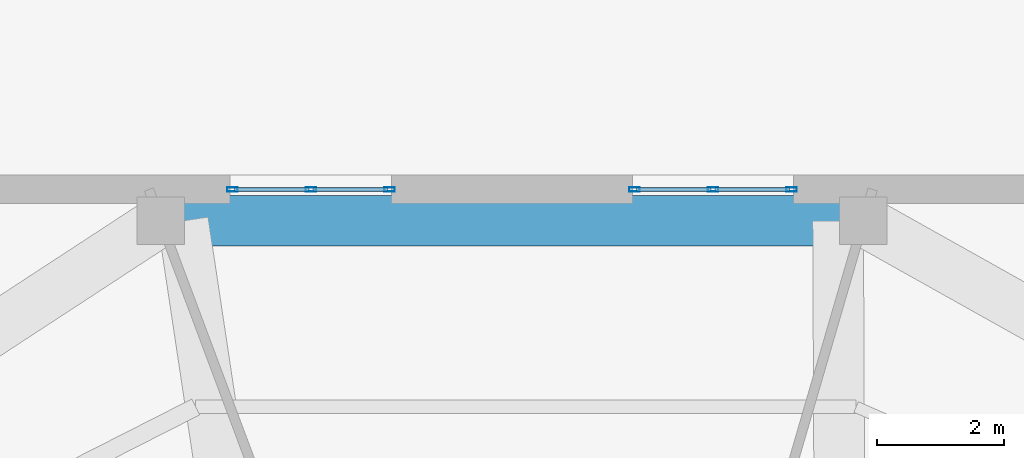
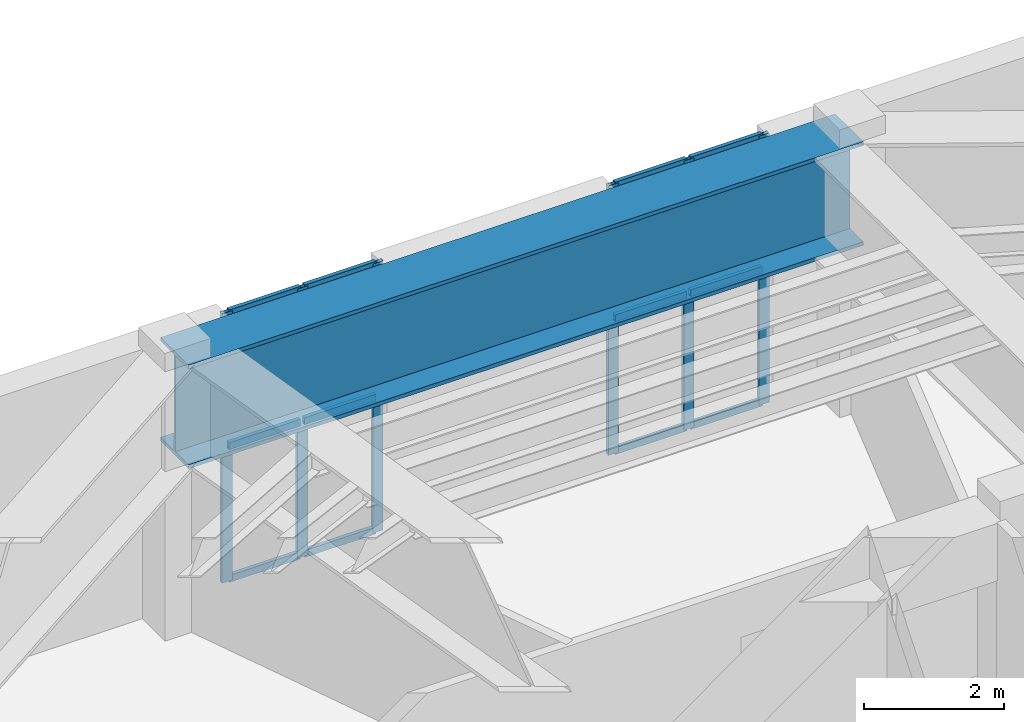
# One storey, part 15 of 24: 18 members, 1 beam, 2 elements without a shape of their own.
"""IFC4 building model written with IfcOpenShell, lengths in metres."""

from ifc_helpers import new_model, si_unit, direction, frame, origin, origin_2d, place, context, subcontext, project, spatial, hollow_rectangle, i_section, extrude, material, layer, layer_set, material_profile, profile_set, type_object, element, aggregate, save


model = new_model("IFC4")

# Units and contexts
model_context = context("Model", 3, precision=1e-05, world=origin(), true_north=direction((0.0, 1.0)))
body_context = subcontext(model_context, "Body", "Model", "MODEL_VIEW")
ifc_project = project(units=[si_unit("LENGTHUNIT", "METRE"), si_unit("AREAUNIT", "SQUARE_METRE"), si_unit("VOLUMEUNIT", "CUBIC_METRE"), si_unit("PLANEANGLEUNIT", "RADIAN"), si_unit("MASSUNIT", "GRAM", prefix="KILO")], contexts=[model_context])

# Site, building, storey
site_placement = place(None, origin())
site = spatial("IfcSite", under=ifc_project, at=site_placement, CompositionType="ELEMENT")
building_placement = place(site_placement, origin())
building = spatial("IfcBuilding", under=site, at=building_placement, Name="Kilnhurst Terrace Hotel", CompositionType="ELEMENT")
storey_placement = place(building_placement, frame((0.0, 0.0, 305.39990234375)))
storey = spatial("IfcBuildingStorey", under=building, at=storey_placement, Name="L76", CompositionType="ELEMENT", Elevation=305.39990234375)

# Curtain wall, members
ifc_material_1 = material(Name="Anodized Aluminium Alloy 6063-T6 and Low-E Glass", Category="aluminium")
ifc_layer = layer(ifc_material_1, 0.219970703125, Name="Anodized Aluminium Alloy 6063-T6 and Low-E Glass")
ifc_layer_set = layer_set([ifc_layer], Name="Anodized Aluminium Alloy 6063-T6 and Low-E Glass")
curtain_wall_type = type_object("IfcCurtainWallType", Name="CW-OBS-CROWN", PredefinedType="NOTDEFINED", material=ifc_layer_set)
curtain_wall_1_placement = place(storey_placement, origin())
curtain_wall_1 = element("IfcCurtainWall", 1, at=curtain_wall_1_placement, inside=storey, type_object=curtain_wall_type, Name="L76 Curtain Wall CW-L76-F4-1", PredefinedType="NOTDEFINED")
ifc_material_2 = material(Name="Extruded Aluminium Alloy 6063-T6", Category="aluminium")
ifc_material_profile_1 = material_profile(ifc_material_2, hollow_rectangle(XDim=0.06494140625, YDim=0.1650390625, WallThickness=0.00341796875, at=origin_2d()), Name="CWM65X165")
ifc_profile_set_1 = profile_set([ifc_material_profile_1], Name="Extruded Aluminium Alloy 6063-T6")
member_type_1 = type_object("IfcMemberType", Name="MEM-CWM65X165", PredefinedType="MULLION", material=ifc_profile_set_1)
member_1_placement = place(storey_placement, frame((3.726318359375, 17.175048828125, 0.0), z_axis=(0.0, 0.0, 1.0), x_axis=(0.0, -1.0, 0.0)))
member_1 = element("IfcMember", 2, at=member_1_placement, type_object=member_type_1, Name="CWO-6 mullion 1", PredefinedType="MULLION", context=body_context, shape_type="SweptSolid", body=[
    extrude(hollow_rectangle(XDim=0.06494140625, YDim=0.1650390625, WallThickness=0.00341796875, at=origin_2d()), origin(), (0.0, 0.0, 1.0), 4.68017578125),
])
member_2_placement = place(storey_placement, frame((2.48583984375, 17.175048828125, 0.0), z_axis=(0.0, 0.0, 1.0), x_axis=(0.0, -1.0, 0.0)))
member_2 = element("IfcMember", 3, at=member_2_placement, type_object=member_type_1, Name="CWO-6 mullion 2", PredefinedType="MULLION", context=body_context, shape_type="SweptSolid", body=[
    extrude(hollow_rectangle(XDim=0.06494140625, YDim=0.1650390625, WallThickness=0.00341796875, at=origin_2d()), origin(), (0.0, 0.0, 1.0), 4.68017578125),
])
member_3_placement = place(storey_placement, frame((1.245361328125, 17.175048828125, 0.0), z_axis=(0.0, 0.0, 1.0), x_axis=(0.0, -1.0, 0.0)))
member_3 = element("IfcMember", 4, at=member_3_placement, type_object=member_type_1, Name="CWO-6 mullion 3", PredefinedType="MULLION", context=body_context, shape_type="SweptSolid", body=[
    extrude(hollow_rectangle(XDim=0.06494140625, YDim=0.1650390625, WallThickness=0.00341796875, at=origin_2d()), origin(), (0.0, 0.0, 1.0), 4.68017578125),
])

curtain_wall_2_placement = place(storey_placement, origin())
curtain_wall_2 = element("IfcCurtainWall", 5, at=curtain_wall_2_placement, inside=storey, type_object=curtain_wall_type, Name="L76 Curtain Wall CW-L76-F4-2", PredefinedType="NOTDEFINED")
member_4_placement = place(storey_placement, frame((-2.61962890625, 17.175048828125, 0.0), z_axis=(0.0, 0.0, 1.0), x_axis=(0.0, -1.0, 0.0)))
member_4 = element("IfcMember", 6, at=member_4_placement, type_object=member_type_1, Name="CWO-6 mullion 1", PredefinedType="MULLION", context=body_context, shape_type="SweptSolid", body=[
    extrude(hollow_rectangle(XDim=0.06494140625, YDim=0.1650390625, WallThickness=0.00341796875, at=origin_2d()), origin(), (0.0, 0.0, 1.0), 4.68017578125),
])
member_5_placement = place(storey_placement, frame((-3.860595703125, 17.175048828125, 0.0), z_axis=(0.0, 0.0, 1.0), x_axis=(0.0, -1.0, 0.0)))
member_5 = element("IfcMember", 7, at=member_5_placement, type_object=member_type_1, Name="CWO-6 mullion 2", PredefinedType="MULLION", context=body_context, shape_type="SweptSolid", body=[
    extrude(hollow_rectangle(XDim=0.06494140625, YDim=0.1650390625, WallThickness=0.00341796875, at=origin_2d()), origin(), (0.0, 0.0, 1.0), 4.68017578125),
])
member_6_placement = place(storey_placement, frame((-5.101806640625, 17.175048828125, 0.0), z_axis=(0.0, 0.0, 1.0), x_axis=(0.0, -1.0, 0.0)))
member_6 = element("IfcMember", 8, at=member_6_placement, type_object=member_type_1, Name="CWO-6 mullion 3", PredefinedType="MULLION", context=body_context, shape_type="SweptSolid", body=[
    extrude(hollow_rectangle(XDim=0.06494140625, YDim=0.1650390625, WallThickness=0.00341796875, at=origin_2d()), origin(), (0.0, 0.0, 1.0), 4.68017578125),
])

# Member
ifc_material_profile_2 = material_profile(ifc_material_2, hollow_rectangle(XDim=0.06494140625, YDim=0.1201171875, WallThickness=0.00341796875, at=origin_2d()), Name="CWT65X120")
ifc_profile_set_2 = profile_set([ifc_material_profile_2], Name="Extruded Aluminium Alloy 6063-T6")
member_type_2 = type_object("IfcMemberType", Name="MEM-CWT65X120", PredefinedType="USERDEFINED", material=ifc_profile_set_2)
member_7_placement = place(storey_placement, frame((3.69384765625, 17.175048828125, 0.03271484375), z_axis=(-1.0, 0.0, 0.0), x_axis=(0.0, -1.0, 0.0)))
member_7 = element("IfcMember", 9, at=member_7_placement, type_object=member_type_2, Name="CWO-6 transom 1.1", ObjectType="TRANSOM", PredefinedType="USERDEFINED", context=body_context, shape_type="SweptSolid", body=[
    extrude(hollow_rectangle(XDim=0.06494140625, YDim=0.1201171875, WallThickness=0.00341796875, at=origin_2d()), origin(), (0.0, 0.0, 1.0), 1.175537109375),
])

member_8_placement = place(storey_placement, frame((3.69384765625, 17.175048828125, 2.340087890625), z_axis=(-1.0, 0.0, 0.0), x_axis=(0.0, -1.0, 0.0)))
member_8 = element("IfcMember", 10, at=member_8_placement, type_object=member_type_2, Name="CWO-6 transom 1.2", ObjectType="TRANSOM", PredefinedType="USERDEFINED", context=body_context, shape_type="SweptSolid", body=[
    extrude(hollow_rectangle(XDim=0.06494140625, YDim=0.1201171875, WallThickness=0.00341796875, at=origin_2d()), origin(), (0.0, 0.0, 1.0), 1.175537109375),
])

member_9_placement = place(storey_placement, frame((3.69384765625, 17.175048828125, 4.647705078125), z_axis=(-1.0, 0.0, 0.0), x_axis=(0.0, -1.0, 0.0)))
member_9 = element("IfcMember", 11, at=member_9_placement, type_object=member_type_2, Name="CWO-6 transom 1.3", ObjectType="TRANSOM", PredefinedType="USERDEFINED", context=body_context, shape_type="SweptSolid", body=[
    extrude(hollow_rectangle(XDim=0.06494140625, YDim=0.1201171875, WallThickness=0.00341796875, at=origin_2d()), origin(), (0.0, 0.0, 1.0), 1.175537109375),
])

member_10_placement = place(storey_placement, frame((2.453369140625, 17.175048828125, 0.03271484375), z_axis=(-1.0, 0.0, 0.0), x_axis=(0.0, -1.0, 0.0)))
member_10 = element("IfcMember", 12, at=member_10_placement, type_object=member_type_2, Name="CWO-6 transom 2.1", ObjectType="TRANSOM", PredefinedType="USERDEFINED", context=body_context, shape_type="SweptSolid", body=[
    extrude(hollow_rectangle(XDim=0.06494140625, YDim=0.1201171875, WallThickness=0.00341796875, at=origin_2d()), origin(), (0.0, 0.0, 1.0), 1.175537109375),
])

member_11_placement = place(storey_placement, frame((2.453369140625, 17.175048828125, 2.340087890625), z_axis=(-1.0, 0.0, 0.0), x_axis=(0.0, -1.0, 0.0)))
member_11 = element("IfcMember", 13, at=member_11_placement, type_object=member_type_2, Name="CWO-6 transom 2.2", ObjectType="TRANSOM", PredefinedType="USERDEFINED", context=body_context, shape_type="SweptSolid", body=[
    extrude(hollow_rectangle(XDim=0.06494140625, YDim=0.1201171875, WallThickness=0.00341796875, at=origin_2d()), origin(), (0.0, 0.0, 1.0), 1.175537109375),
])

member_12_placement = place(storey_placement, frame((2.453369140625, 17.175048828125, 4.647705078125), z_axis=(-1.0, 0.0, 0.0), x_axis=(0.0, -1.0, 0.0)))
member_12 = element("IfcMember", 14, at=member_12_placement, type_object=member_type_2, Name="CWO-6 transom 2.3", ObjectType="TRANSOM", PredefinedType="USERDEFINED", context=body_context, shape_type="SweptSolid", body=[
    extrude(hollow_rectangle(XDim=0.06494140625, YDim=0.1201171875, WallThickness=0.00341796875, at=origin_2d()), origin(), (0.0, 0.0, 1.0), 1.175537109375),
])

aggregate(curtain_wall_1, [member_1, member_2, member_3, member_7, member_8, member_9, member_10, member_11, member_12])

member_13_placement = place(storey_placement, frame((-2.652099609375, 17.175048828125, 0.03271484375), z_axis=(-1.0, 0.0, 0.0), x_axis=(0.0, -1.0, 0.0)))
member_13 = element("IfcMember", 15, at=member_13_placement, type_object=member_type_2, Name="CWO-6 transom 1.1", ObjectType="TRANSOM", PredefinedType="USERDEFINED", context=body_context, shape_type="SweptSolid", body=[
    extrude(hollow_rectangle(XDim=0.06494140625, YDim=0.1201171875, WallThickness=0.00341796875, at=origin_2d()), origin(), (0.0, 0.0, 1.0), 1.176025390625),
])

member_14_placement = place(storey_placement, frame((-2.652099609375, 17.175048828125, 2.340087890625), z_axis=(-1.0, 0.0, 0.0), x_axis=(0.0, -1.0, 0.0)))
member_14 = element("IfcMember", 16, at=member_14_placement, type_object=member_type_2, Name="CWO-6 transom 1.2", ObjectType="TRANSOM", PredefinedType="USERDEFINED", context=body_context, shape_type="SweptSolid", body=[
    extrude(hollow_rectangle(XDim=0.06494140625, YDim=0.1201171875, WallThickness=0.00341796875, at=origin_2d()), origin(), (0.0, 0.0, 1.0), 1.176025390625),
])

member_15_placement = place(storey_placement, frame((-2.652099609375, 17.175048828125, 4.647705078125), z_axis=(-1.0, 0.0, 0.0), x_axis=(0.0, -1.0, 0.0)))
member_15 = element("IfcMember", 17, at=member_15_placement, type_object=member_type_2, Name="CWO-6 transom 1.3", ObjectType="TRANSOM", PredefinedType="USERDEFINED", context=body_context, shape_type="SweptSolid", body=[
    extrude(hollow_rectangle(XDim=0.06494140625, YDim=0.1201171875, WallThickness=0.00341796875, at=origin_2d()), origin(), (0.0, 0.0, 1.0), 1.176025390625),
])

member_16_placement = place(storey_placement, frame((-3.893310546875, 17.175048828125, 0.03271484375), z_axis=(-1.0, 0.0, 0.0), x_axis=(0.0, -1.0, 0.0)))
member_16 = element("IfcMember", 18, at=member_16_placement, type_object=member_type_2, Name="CWO-6 transom 2.1", ObjectType="TRANSOM", PredefinedType="USERDEFINED", context=body_context, shape_type="SweptSolid", body=[
    extrude(hollow_rectangle(XDim=0.06494140625, YDim=0.1201171875, WallThickness=0.00341796875, at=origin_2d()), origin(), (0.0, 0.0, 1.0), 1.17578125),
])

member_17_placement = place(storey_placement, frame((-3.893310546875, 17.175048828125, 2.340087890625), z_axis=(-1.0, 0.0, 0.0), x_axis=(0.0, -1.0, 0.0)))
member_17 = element("IfcMember", 19, at=member_17_placement, type_object=member_type_2, Name="CWO-6 transom 2.2", ObjectType="TRANSOM", PredefinedType="USERDEFINED", context=body_context, shape_type="SweptSolid", body=[
    extrude(hollow_rectangle(XDim=0.06494140625, YDim=0.1201171875, WallThickness=0.00341796875, at=origin_2d()), origin(), (0.0, 0.0, 1.0), 1.17578125),
])

member_18_placement = place(storey_placement, frame((-3.893310546875, 17.175048828125, 4.647705078125), z_axis=(-1.0, 0.0, 0.0), x_axis=(0.0, -1.0, 0.0)))
member_18 = element("IfcMember", 20, at=member_18_placement, type_object=member_type_2, Name="CWO-6 transom 2.3", ObjectType="TRANSOM", PredefinedType="USERDEFINED", context=body_context, shape_type="SweptSolid", body=[
    extrude(hollow_rectangle(XDim=0.06494140625, YDim=0.1201171875, WallThickness=0.00341796875, at=origin_2d()), origin(), (0.0, 0.0, 1.0), 1.17578125),
])

aggregate(curtain_wall_2, [member_4, member_5, member_6, member_13, member_14, member_15, member_16, member_17, member_18])

# Beam
ifc_material_3 = material(Name="Steel ASTM A572 Grade 50", Category="steel")
ifc_material_profile_3 = material_profile(ifc_material_3, i_section(OverallWidth=0.800048828125, OverallDepth=1.800048828125, WebThickness=0.0400390625, FlangeThickness=0.06494140625, at=origin_2d()), Name="PG1800X800")
ifc_profile_set_3 = profile_set([ifc_material_profile_3], Name="Steel ASTM A572 Grade 50")
beam_type = type_object("IfcBeamType", Name="TG-STEP-1800", PredefinedType="USERDEFINED", material=ifc_profile_set_3)
beam_placement = place(storey_placement, frame((4.85888671875, 16.679931640625, 3.780029296875), z_axis=(-1.0, 0.0, 0.0), x_axis=(0.0, -1.0, 0.0)))
element("IfcBeam", 21, at=beam_placement, inside=storey, type_object=beam_type, Name="L76 Zone Step Perimeter Transfer Girder 7", ObjectType="GIRDER", PredefinedType="USERDEFINED", context=body_context, shape_type="SweptSolid", body=[
    extrude(i_section(OverallWidth=0.800048828125, OverallDepth=1.800048828125, WebThickness=0.0400390625, FlangeThickness=0.06494140625, at=origin_2d()), origin(), (0.0, 0.0, 1.0), 11.0927734375),
])

save(model, "model.ifc")
